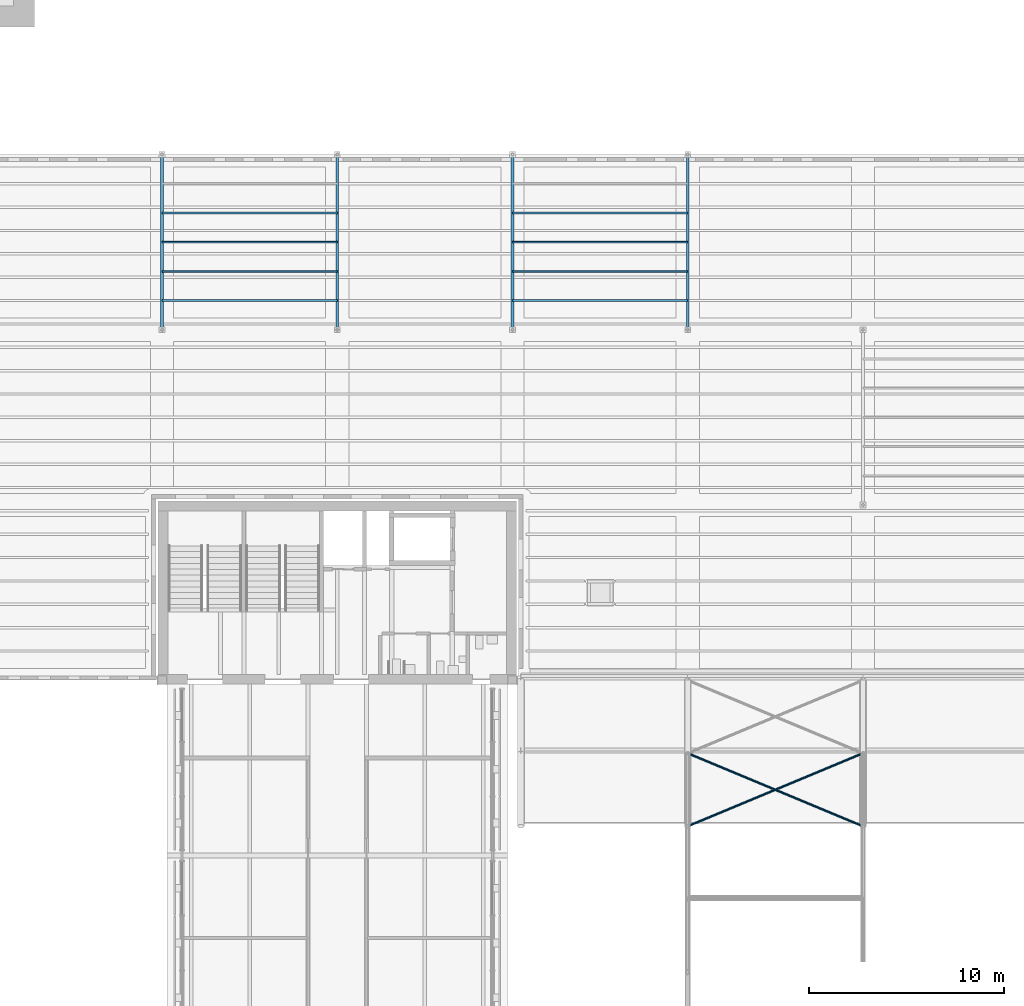
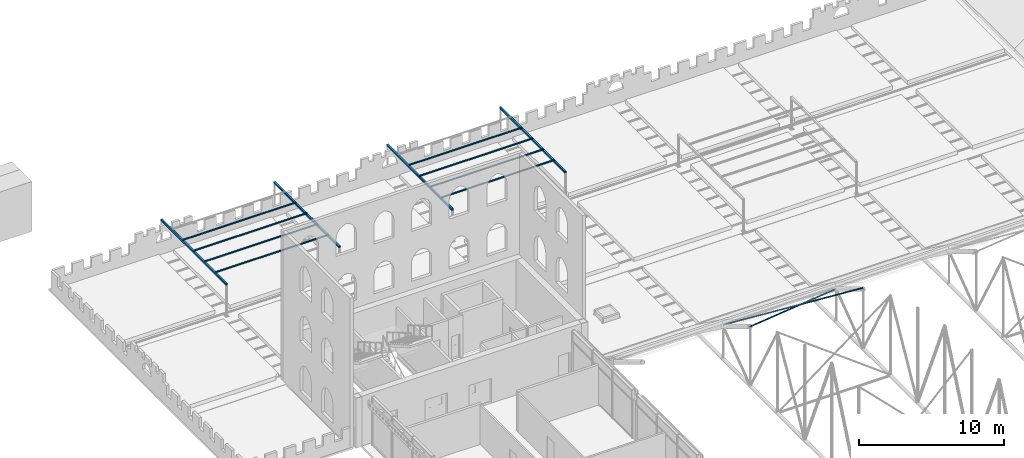
# One storey, part 40 of 153: 10 members, 4 beams.
"""IFC4 building model written with IfcOpenShell, lengths in metres."""

from ifc_helpers import new_model, si_unit, direction, frame, origin, origin_2d, place, context, subcontext, project, spatial, hollow_rectangle, hollow_circle, extrude, material, material_profile, profile_set, type_object, element, save


model = new_model("IFC4")

# Units and contexts
model_context = context("Model", 3, precision=1e-05, world=origin(), true_north=direction((0.0, 1.0)))
body_context = subcontext(model_context, "Body", "Model", "MODEL_VIEW")
ifc_project = project(units=[si_unit("LENGTHUNIT", "METRE"), si_unit("AREAUNIT", "SQUARE_METRE"), si_unit("VOLUMEUNIT", "CUBIC_METRE"), si_unit("PLANEANGLEUNIT", "RADIAN"), si_unit("MASSUNIT", "GRAM", prefix="KILO")], contexts=[model_context])

# Site, building, storey
site_placement = place(None, origin())
site = spatial("IfcSite", under=ifc_project, at=site_placement, CompositionType="ELEMENT")
building_placement = place(site_placement, origin())
building = spatial("IfcBuilding", under=site, at=building_placement, Name="Baradari Gate Terminus", CompositionType="ELEMENT")
storey_placement = place(building_placement, frame((0.0, 0.0, 11.699951171875)))
storey = spatial("IfcBuildingStorey", under=building, at=storey_placement, Name="L02", CompositionType="ELEMENT", Elevation=11.699951171875)

# Beams
ifc_material_1 = material(Name="Steel S355", Category="steel")
ifc_material_profile_1 = material_profile(ifc_material_1, hollow_rectangle(XDim=0.14990234375, YDim=0.14990234375, WallThickness=0.00634765625, InnerFilletRadius=0.00634765625, OuterFilletRadius=0.0126953125, at=origin_2d()), Name="SHS 150x150x6.3")
ifc_profile_set_1 = profile_set([ifc_material_profile_1], Name="Steel S355")
beam_type = type_object("IfcBeamType", Name="Pergola beam SHS 150x150x6.3", PredefinedType="BEAM", material=ifc_profile_set_1)
for number, where, z_axis, x_axis, name in (
    (1, (72.0, 99.0, 2.675048828125), (0.0, 1.0, 0.0), (-1.0, 0.0, 0.0), "RF/L02/PGW1-PGB1"),
    (2, (81.0, 99.0, 2.675048828125), (0.0, 1.0, 0.0), (-1.0, 0.0, 0.0), "RF/L02/PGW1-PGB2"),
    (3, (90.0, 99.0, 2.675048828125), (0.0, 1.0, 0.0), (-1.0, 0.0, 0.0), "RF/L02/PGW2-PGB1"),
    (4, (99.0, 99.0, 2.675048828125), (0.0, 1.0, 0.0), (-1.0, 0.0, 0.0), "RF/L02/PGW2-PGB2"),
):
    element("IfcBeam", number, at=place(storey_placement, frame(where, z_axis=z_axis, x_axis=x_axis)), inside=storey, type_object=beam_type, Name=name, PredefinedType="BEAM", context=body_context, shape_type="SweptSolid", body=[
        extrude(hollow_rectangle(XDim=0.14990234375, YDim=0.14990234375, WallThickness=0.00634765625, InnerFilletRadius=0.00634765625, OuterFilletRadius=0.0126953125, at=origin_2d()), origin(), (0.0, 0.0, 1.0), 9.0),
    ])

# Members
ifc_material_2 = material(Name="Steel S355", Category="steel")
ifc_material_profile_2 = material_profile(ifc_material_2, hollow_rectangle(XDim=0.10009765625, YDim=0.10009765625, WallThickness=0.00634765625, InnerFilletRadius=0.00634765625, OuterFilletRadius=0.0126953125, at=origin_2d()), Name="SHS 100x100x6.3")
ifc_profile_set_2 = profile_set([ifc_material_profile_2], Name="Steel S355")
member_type_1 = type_object("IfcMemberType", Name="Pergola rafter SHS 100x100x6.3", PredefinedType="STRINGER", material=ifc_profile_set_2)
for number, where, z_axis, x_axis, name in (
    (5, (72.0, 100.5, 2.800048828125), (1.0, 0.0, 0.0), (0.0, 1.0, 0.0), "RF/L02/PGW1-PGR1"),
    (6, (72.0, 102.0, 2.800048828125), (1.0, 0.0, 0.0), (0.0, 1.0, 0.0), "RF/L02/PGW1-PGR2"),
    (7, (72.0, 103.5, 2.800048828125), (1.0, 0.0, 0.0), (0.0, 1.0, 0.0), "RF/L02/PGW1-PGR3"),
    (8, (72.0, 105.0, 2.800048828125), (1.0, 0.0, 0.0), (0.0, 1.0, 0.0), "RF/L02/PGW1-PGR4"),
    (9, (90.0, 100.5, 2.800048828125), (1.0, 0.0, 0.0), (0.0, 1.0, 0.0), "RF/L02/PGW2-PGR1"),
    (10, (90.0, 102.0, 2.800048828125), (1.0, 0.0, 0.0), (0.0, 1.0, 0.0), "RF/L02/PGW2-PGR2"),
    (11, (90.0, 103.5, 2.800048828125), (1.0, 0.0, 0.0), (0.0, 1.0, 0.0), "RF/L02/PGW2-PGR3"),
    (12, (90.0, 105.0, 2.800048828125), (1.0, 0.0, 0.0), (0.0, 1.0, 0.0), "RF/L02/PGW2-PGR4"),
):
    element("IfcMember", number, at=place(storey_placement, frame(where, z_axis=z_axis, x_axis=x_axis)), inside=storey, type_object=member_type_1, Name=name, PredefinedType="STRINGER", context=body_context, shape_type="SweptSolid", body=[
        extrude(hollow_rectangle(XDim=0.10009765625, YDim=0.10009765625, WallThickness=0.00634765625, InnerFilletRadius=0.00634765625, OuterFilletRadius=0.0126953125, at=origin_2d()), origin(), (0.0, 0.0, 1.0), 9.0),
    ])
ifc_material_3 = material(Name="Steel S355", Category="steel")
ifc_material_profile_3 = material_profile(ifc_material_3, hollow_circle(Radius=0.05712890625, WallThickness=0.00634765625, at=origin_2d()), Name="CHS 114.3x6.3")
ifc_profile_set_3 = profile_set([ifc_material_profile_3], Name="Steel S355")
member_type_2 = type_object("IfcMemberType", Name="Shed roof brace CHS 114.3x6.3", PredefinedType="BRACE", material=ifc_profile_set_3)
for number, where, z_axis, x_axis, name in (
    (13, (99.0, 73.5, 5.136474609375), (0.899438026795, 0.374765844498, -0.224859506699), (-0.384615384615, 0.923076923077, 0.0), "TR/L02/B108-RB10A"),
    (14, (108.0, 73.5, 5.250732421875), (-0.899438026795, 0.374765844498, -0.224859506699), (-0.384615384615, -0.923076923077, 0.0), "TR/L02/B108-RB10B"),
):
    element("IfcMember", number, at=place(storey_placement, frame(where, z_axis=z_axis, x_axis=x_axis)), inside=storey, type_object=member_type_2, Name=name, PredefinedType="BRACE", context=body_context, shape_type="SweptSolid", body=[
        extrude(hollow_circle(Radius=0.05712890625, WallThickness=0.00634765625, at=origin_2d()), origin(), (0.0, 0.0, 1.0), 10.00634765625),
    ])

save(model, "model.ifc")
